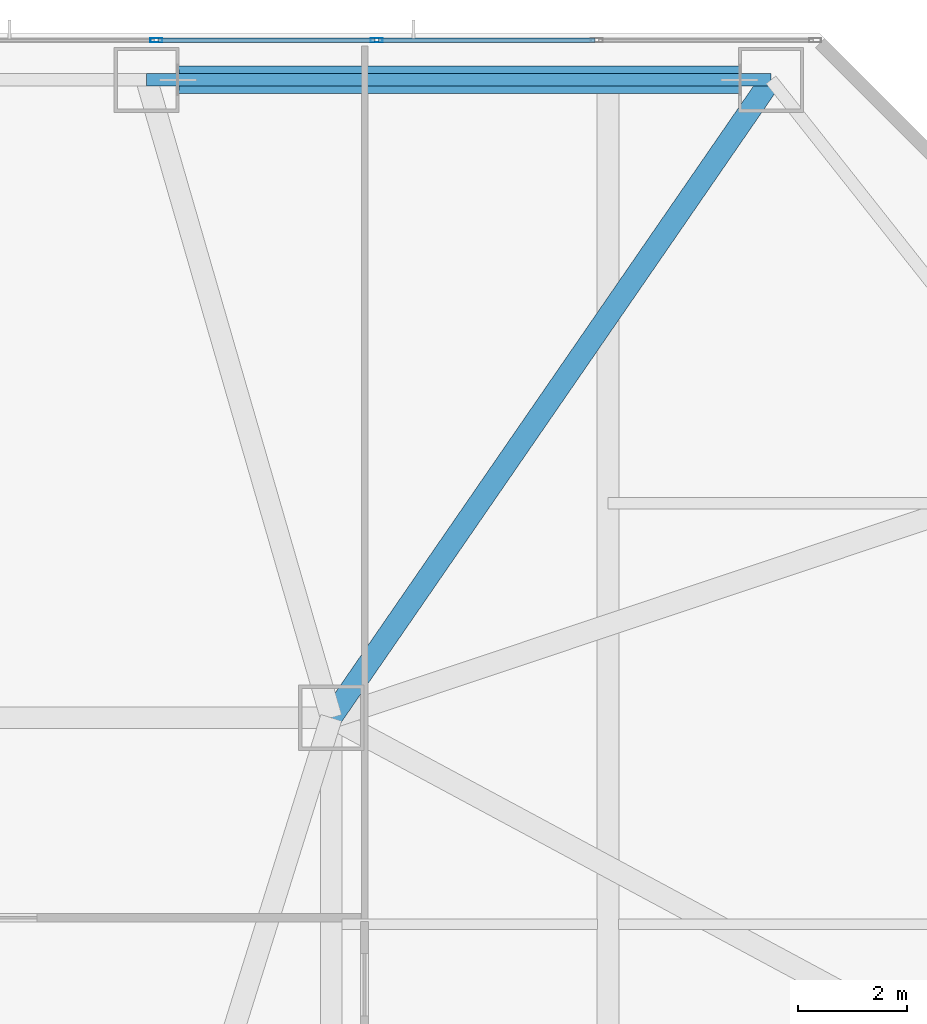
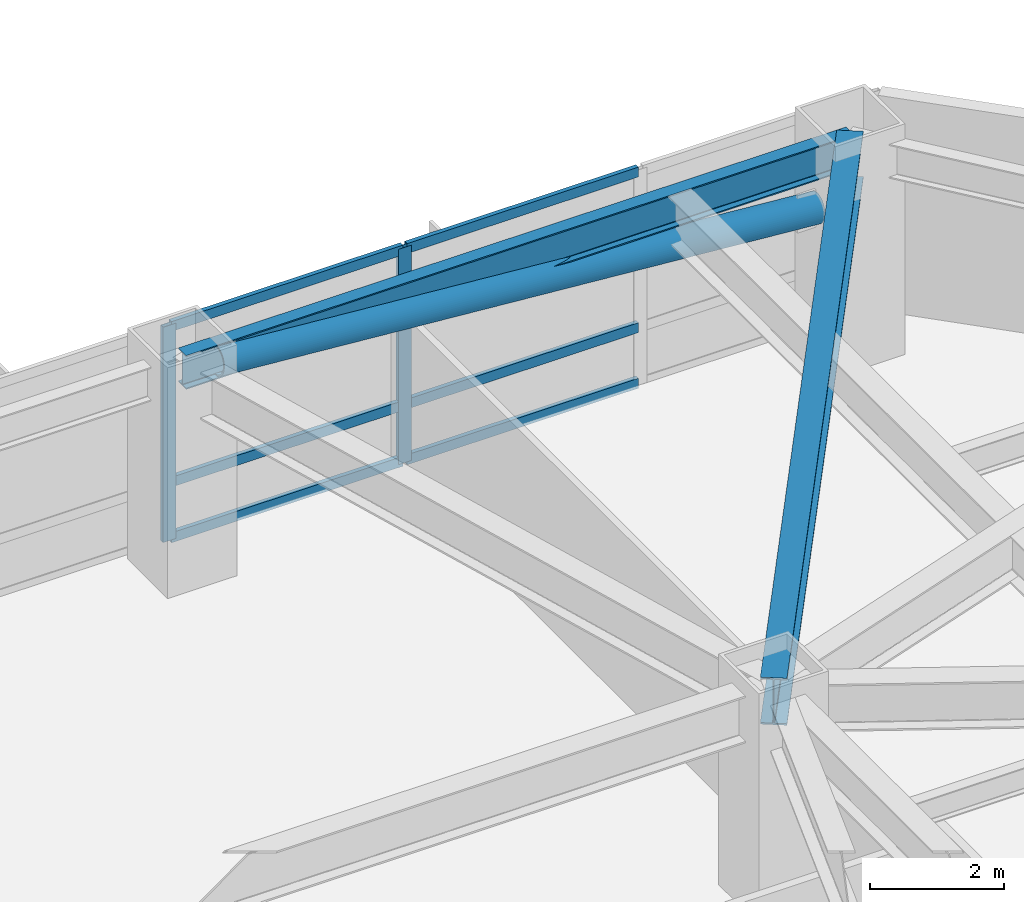
# One storey, part 7 of 25: 9 members, 2 beams, 1 element without a shape of its own.
"""IFC4 building model written with IfcOpenShell, lengths in metres."""

from ifc_helpers import new_model, si_unit, direction, frame, origin, origin_2d, place, context, subcontext, project, spatial, hollow_rectangle, hollow_circle, i_section, extrude, material, material_profile, profile_set, type_object, element, aggregate, save


model = new_model("IFC4")

# Units and contexts
model_context = context("Model", 3, precision=1e-05, world=origin(), true_north=direction((0.0, 1.0)))
body_context = subcontext(model_context, "Body", "Model", "MODEL_VIEW")
ifc_project = project(units=[si_unit("LENGTHUNIT", "METRE"), si_unit("AREAUNIT", "SQUARE_METRE"), si_unit("VOLUMEUNIT", "CUBIC_METRE"), si_unit("PLANEANGLEUNIT", "RADIAN"), si_unit("MASSUNIT", "GRAM", prefix="KILO")], contexts=[model_context])

# Site, building, storey
site_placement = place(None, origin())
site = spatial("IfcSite", under=ifc_project, at=site_placement, CompositionType="ELEMENT")
building_placement = place(site_placement, origin())
building = spatial("IfcBuilding", under=site, at=building_placement, Name="Khamvora Tower", CompositionType="ELEMENT")
storey_placement = place(building_placement, frame((0.0, 0.0, 16.199951171875)))
storey = spatial("IfcBuildingStorey", under=building, at=storey_placement, Name="L03", CompositionType="ELEMENT", Elevation=16.199951171875)

# Beams
ifc_material_1 = material(Name="Steel S355", Category="steel")
ifc_material_profile_1 = material_profile(ifc_material_1, i_section(OverallWidth=0.39990234375, OverallDepth=0.85498046875, WebThickness=0.01806640625, FlangeThickness=0.029052734375, FilletRadius=0.01806640625, at=origin_2d()), Name="W840x299")
ifc_profile_set_1 = profile_set([ifc_material_profile_1], Name="Steel S355")
beam_type_1 = type_object("IfcBeamType", Name="BM-PG-W840x299", PredefinedType="BEAM", material=ifc_profile_set_1)
beam_1_placement = place(storey_placement, frame((41.39990234375, 43.39990234375, 3.4931640625), z_axis=(0.567573841069, 0.823322497527, 0.0), x_axis=(-0.823322497527, 0.567573841069, 0.0)))
element("IfcBeam", 1, at=beam_1_placement, inside=storey, type_object=beam_type_1, Name="L03 primary floor girder P08", PredefinedType="BEAM", context=body_context, shape_type="SweptSolid", body=[
    extrude(i_section(OverallWidth=0.39990234375, OverallDepth=0.85498046875, WebThickness=0.01806640625, FlangeThickness=0.029052734375, FilletRadius=0.01806640625, at=origin_2d()), origin(), (0.0, 0.0, 1.0), 14.271484375),
])
ifc_material_profile_2 = material_profile(ifc_material_1, i_section(OverallWidth=0.22998046875, OverallDepth=0.616943359375, WebThickness=0.012939453125, FlangeThickness=0.02197265625, FilletRadius=0.013916015625, at=origin_2d()), Name="W610x140")
ifc_profile_set_2 = profile_set([ifc_material_profile_2], Name="Steel S355")
beam_type_2 = type_object("IfcBeamType", Name="BM-SP-W610x140", PredefinedType="SPANDREL", material=ifc_profile_set_2)
beam_2_placement = place(storey_placement, frame((49.5, 55.14990234375, 3.612060546875), z_axis=(-1.0, 0.0, 0.0), x_axis=(0.0, -1.0, 0.0)))
element("IfcBeam", 2, at=beam_2_placement, inside=storey, type_object=beam_type_2, Name="L03 perimeter spandrel beam P08-P07", PredefinedType="SPANDREL", context=body_context, shape_type="SweptSolid", body=[
    extrude(i_section(OverallWidth=0.22998046875, OverallDepth=0.616943359375, WebThickness=0.012939453125, FlangeThickness=0.02197265625, FilletRadius=0.013916015625, at=origin_2d()), origin(), (0.0, 0.0, 1.0), 11.5),
])

# Curtain wall, members
ifc_material_2 = material(Name="Anodised Aluminium 6063-T6", Category="aluminium")
curtain_wall_type = type_object("IfcCurtainWallType", Name="CW-SYS-01", PredefinedType="NOTDEFINED", material=ifc_material_2)
curtain_wall_placement = place(storey_placement, origin())
curtain_wall = element("IfcCurtainWall", 3, at=curtain_wall_placement, inside=storey, type_object=curtain_wall_type, Name="L03 stick curtain wall 07.1", PredefinedType="NOTDEFINED")
ifc_material_profile_3 = material_profile(ifc_material_2, hollow_rectangle(XDim=0.074951171875, YDim=0.219970703125, WallThickness=0.0048828125, at=origin_2d()), Name="MUL75x220x5")
ifc_profile_set_3 = profile_set([ifc_material_profile_3], Name="Anodised Aluminium 6063-T6")
member_type_1 = type_object("IfcMemberType", Name="CW-SYS-01-MUL", PredefinedType="MULLION", material=ifc_profile_set_3)
member_1_placement = place(storey_placement, frame((38.18017578125, 55.8798828125, 0.0), z_axis=(0.0, 0.0, 1.0), x_axis=(0.0, 1.0, 0.0)))
member_1 = element("IfcMember", 4, at=member_1_placement, type_object=member_type_1, Name="CW-01 mullion 9", PredefinedType="MULLION", context=body_context, shape_type="SweptSolid", body=[
    extrude(hollow_rectangle(XDim=0.074951171875, YDim=0.219970703125, WallThickness=0.0048828125, at=origin_2d()), origin(), (0.0, 0.0, 1.0), 3.920166015625),
])
member_2_placement = place(storey_placement, frame((42.23681640625, 55.8798828125, 0.0), z_axis=(0.0, 0.0, 1.0), x_axis=(0.0, 1.0, 0.0)))
member_2 = element("IfcMember", 5, at=member_2_placement, type_object=member_type_1, Name="CW-01 mullion 10", PredefinedType="MULLION", context=body_context, shape_type="SweptSolid", body=[
    extrude(hollow_rectangle(XDim=0.074951171875, YDim=0.219970703125, WallThickness=0.0048828125, at=origin_2d()), origin(), (0.0, 0.0, 1.0), 3.920166015625),
])
ifc_material_profile_4 = material_profile(ifc_material_2, hollow_rectangle(XDim=0.074951171875, YDim=0.179931640625, WallThickness=0.0048828125, at=origin_2d()), Name="TRN75x180x5")
ifc_profile_set_4 = profile_set([ifc_material_profile_4], Name="Anodised Aluminium 6063-T6")
member_type_2 = type_object("IfcMemberType", Name="CW-SYS-01-TRN", PredefinedType="USERDEFINED", material=ifc_profile_set_4)
member_3_placement = place(storey_placement, frame((38.217529296875, 55.8798828125, 0.03759765625), z_axis=(1.0, 0.0, 0.0), x_axis=(0.0, 1.0, 0.0)))
member_3 = element("IfcMember", 6, at=member_3_placement, type_object=member_type_2, Name="CW-01 transom 9.1", ObjectType="TRANSOM", PredefinedType="USERDEFINED", context=body_context, shape_type="SweptSolid", body=[
    extrude(hollow_rectangle(XDim=0.074951171875, YDim=0.179931640625, WallThickness=0.0048828125, at=origin_2d()), origin(), (0.0, 0.0, 1.0), 3.981689453125),
])
member_4_placement = place(storey_placement, frame((38.217529296875, 55.8798828125, 1.050048828125), z_axis=(1.0, 0.0, 0.0), x_axis=(0.0, 1.0, 0.0)))
member_4 = element("IfcMember", 7, at=member_4_placement, type_object=member_type_2, Name="CW-01 transom 9.2", ObjectType="TRANSOM", PredefinedType="USERDEFINED", context=body_context, shape_type="SweptSolid", body=[
    extrude(hollow_rectangle(XDim=0.074951171875, YDim=0.179931640625, WallThickness=0.0048828125, at=origin_2d()), origin(), (0.0, 0.0, 1.0), 3.981689453125),
])
member_5_placement = place(storey_placement, frame((38.217529296875, 55.8798828125, 3.882568359375), z_axis=(1.0, 0.0, 0.0), x_axis=(0.0, 1.0, 0.0)))
member_5 = element("IfcMember", 8, at=member_5_placement, type_object=member_type_2, Name="CW-01 transom 9.3", ObjectType="TRANSOM", PredefinedType="USERDEFINED", context=body_context, shape_type="SweptSolid", body=[
    extrude(hollow_rectangle(XDim=0.074951171875, YDim=0.179931640625, WallThickness=0.0048828125, at=origin_2d()), origin(), (0.0, 0.0, 1.0), 3.981689453125),
])
member_6_placement = place(storey_placement, frame((42.274169921875, 55.8798828125, 0.03759765625), z_axis=(1.0, 0.0, 0.0), x_axis=(0.0, 1.0, 0.0)))
member_6 = element("IfcMember", 9, at=member_6_placement, type_object=member_type_2, Name="CW-01 transom 10.1", ObjectType="TRANSOM", PredefinedType="USERDEFINED", context=body_context, shape_type="SweptSolid", body=[
    extrude(hollow_rectangle(XDim=0.074951171875, YDim=0.179931640625, WallThickness=0.0048828125, at=origin_2d()), origin(), (0.0, 0.0, 1.0), 3.981689453125),
])
member_7_placement = place(storey_placement, frame((42.274169921875, 55.8798828125, 1.050048828125), z_axis=(1.0, 0.0, 0.0), x_axis=(0.0, 1.0, 0.0)))
member_7 = element("IfcMember", 10, at=member_7_placement, type_object=member_type_2, Name="CW-01 transom 10.2", ObjectType="TRANSOM", PredefinedType="USERDEFINED", context=body_context, shape_type="SweptSolid", body=[
    extrude(hollow_rectangle(XDim=0.074951171875, YDim=0.179931640625, WallThickness=0.0048828125, at=origin_2d()), origin(), (0.0, 0.0, 1.0), 3.981689453125),
])
member_8_placement = place(storey_placement, frame((42.274169921875, 55.8798828125, 3.882568359375), z_axis=(1.0, 0.0, 0.0), x_axis=(0.0, 1.0, 0.0)))
member_8 = element("IfcMember", 11, at=member_8_placement, type_object=member_type_2, Name="CW-01 transom 10.3", ObjectType="TRANSOM", PredefinedType="USERDEFINED", context=body_context, shape_type="SweptSolid", body=[
    extrude(hollow_rectangle(XDim=0.074951171875, YDim=0.179931640625, WallThickness=0.0048828125, at=origin_2d()), origin(), (0.0, 0.0, 1.0), 3.981689453125),
])
aggregate(curtain_wall, [member_1, member_2, member_3, member_4, member_5, member_6, member_7, member_8])

# Member
ifc_material_3 = material(Name="Steel S460", Category="steel")
ifc_material_profile_5 = material_profile(ifc_material_3, hollow_circle(Radius=0.25390625, WallThickness=0.02490234375, at=origin_2d()), Name="CHS508x25")
ifc_profile_set_5 = profile_set([ifc_material_profile_5], Name="Steel S460")
member_type_3 = type_object("IfcMemberType", Name="MEM-BR-CHS508", PredefinedType="BRACE", material=ifc_profile_set_5)
member_9_placement = place(storey_placement, frame((48.922119140625, 55.14990234375, 2.72705078125), z_axis=(-0.996735497973, 0.0, 0.080736281072), x_axis=(0.0, -1.0, 0.0)))
element("IfcMember", 12, at=member_9_placement, inside=storey, type_object=member_type_3, Name="L03 perimeter wind brace 4", PredefinedType="BRACE", context=body_context, shape_type="SweptSolid", body=[
    extrude(hollow_circle(Radius=0.25390625, WallThickness=0.02490234375, at=origin_2d()), origin(), (0.0, 0.0, 1.0), 10.378173828125),
])

save(model, "model.ifc")
